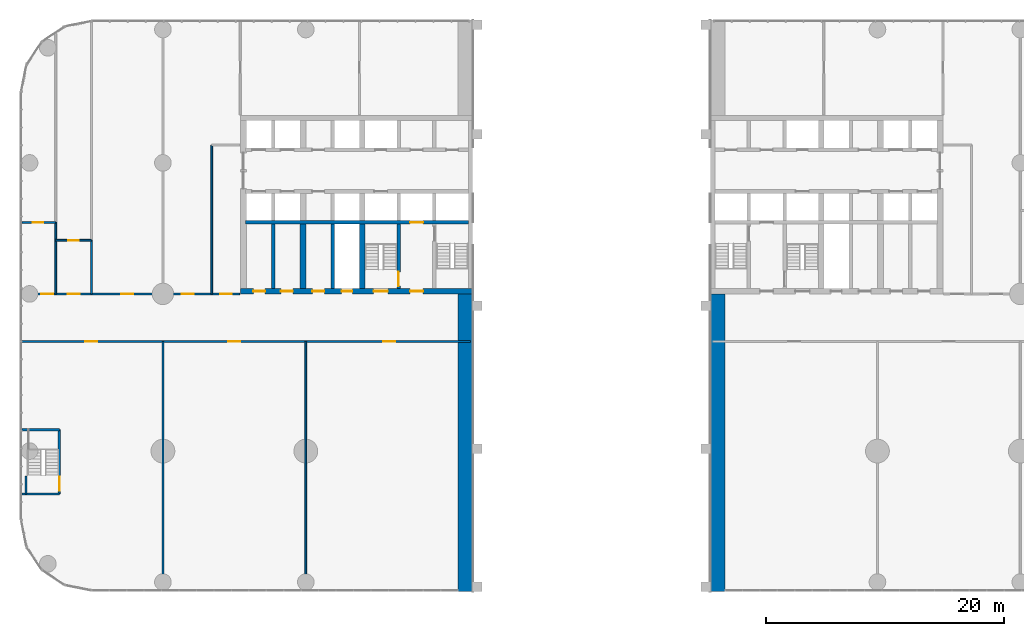
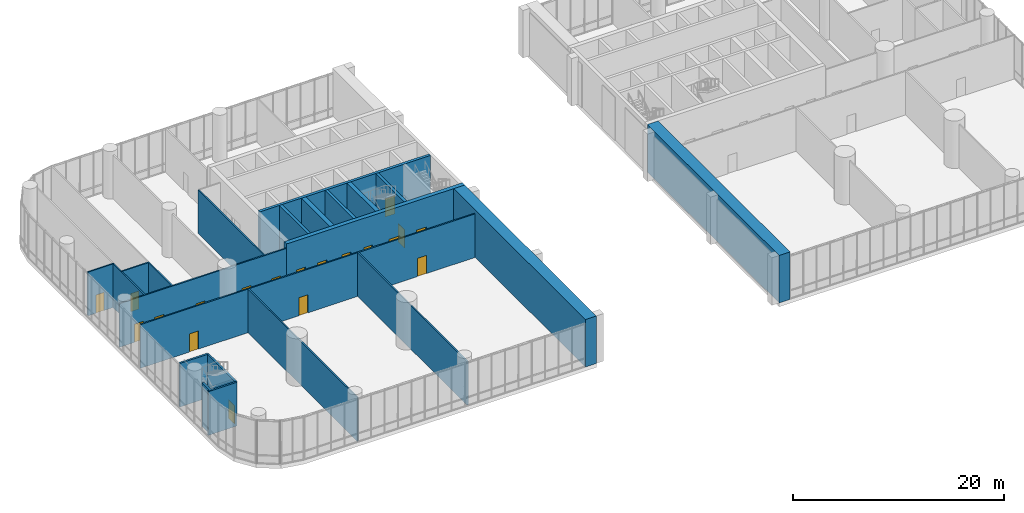
# One storey, part 22 of 28: 22 walls, 19 doors, 19 openings.
"""IFC4 building model written with IfcOpenShell, lengths in metres."""

from ifc_helpers import new_model, si_unit, direction, frame, frame_2d, origin, place, context, subcontext, project, spatial, rectangle, extrude, material, layer, layer_set, type_object, element, fill, save


model = new_model("IFC4")

# Units and contexts
model_context = context("Model", 3, precision=1e-05, world=origin(), true_north=direction((0.0, 1.0)))
body_context = subcontext(model_context, "Body", "Model", "MODEL_VIEW")
ifc_project = project(units=[si_unit("LENGTHUNIT", "METRE"), si_unit("AREAUNIT", "SQUARE_METRE"), si_unit("VOLUMEUNIT", "CUBIC_METRE"), si_unit("PLANEANGLEUNIT", "RADIAN"), si_unit("MASSUNIT", "GRAM", prefix="KILO")], contexts=[model_context])

# Site, building, storey
site_placement = place(None, origin())
site = spatial("IfcSite", under=ifc_project, at=site_placement, CompositionType="ELEMENT")
building_placement = place(site_placement, origin())
building = spatial("IfcBuilding", under=site, at=building_placement, Name="Torana Hotel and Residences", CompositionType="ELEMENT")
storey_placement = place(building_placement, frame((0.0, 0.0, 7.0)))
storey = spatial("IfcBuildingStorey", under=building, at=storey_placement, Name="L01", CompositionType="ELEMENT", Elevation=7.0)

# Walls
ifc_material_1 = material(Name="Concrete C70/85", Category="concrete")
ifc_layer_1 = layer(ifc_material_1, 1.199951171875)
ifc_layer_set_1 = layer_set([ifc_layer_1], Name="CORE WALL 1200 C70/85")
wall_type_1 = type_object("IfcWallType", Name="CORE WALL 1200 C70/85", PredefinedType="SHEAR", material=ifc_layer_set_1)
for number, where, z_axis, x_axis, name in (
    (1, (-10.60009765625, -40.0, 0.0), (0.0, 0.0, 1.0), (0.0, 1.0, 0.0), "Arch jamb wall W"),
    (2, (10.60009765625, -40.0, 0.0), (0.0, 0.0, 1.0), (0.0, 1.0, 0.0), "Arch jamb wall E"),
):
    element("IfcWall", number, at=place(storey_placement, frame(where, z_axis=z_axis, x_axis=x_axis)), inside=storey, type_object=wall_type_1, Name=name, PredefinedType="SHEAR", context=body_context, shape_type="SweptSolid", body=[
        extrude(rectangle(XDim=25.0, YDim=1.199951171875, at=frame_2d((12.5, 0.0))), origin(), (0.0, 0.0, 1.0), 5.5),
    ])
ifc_material_2 = material(Name="Concrete C40/50", Category="concrete")
ifc_layer_2 = layer(ifc_material_2, 0.199951171875)
ifc_layer_set_2 = layer_set([ifc_layer_2], Name="CORE WALL 200 C40/50")
wall_type_2 = type_object("IfcWallType", Name="CORE WALL 200 C40/50", PredefinedType="SHEAR", material=ifc_layer_set_2)
wall_1_placement = place(storey_placement, frame((-47.5, -31.800048828125, 0.0), z_axis=(0.0, 0.0, 1.0), x_axis=(0.0, 1.0, 0.0)))
element("IfcWall", 3, at=wall_1_placement, inside=storey, type_object=wall_type_2, Name="Stair cell wall ST5", PredefinedType="SHEAR", context=body_context, shape_type="SweptSolid", body=[
    extrude(rectangle(XDim=1.5, YDim=0.199951171875, at=frame_2d((0.75, 0.0))), origin(), (0.0, 0.0, 1.0), 5.050048828125),
])

# Wall, opening, door
ifc_material_3 = material(Name="Concrete C80/95", Category="concrete")
ifc_layer_3 = layer(ifc_material_3, 0.300048828125)
ifc_layer_set_3 = layer_set([ifc_layer_3], Name="CORE WALL 300 C80/95")
wall_type_3 = type_object("IfcWallType", Name="CORE WALL 300 C80/95", PredefinedType="SHEAR", material=ifc_layer_set_3)
wall_2_placement = place(storey_placement, frame((-29.050048828125, -9.0, 0.0), z_axis=(0.0, 0.0, 1.0), x_axis=(1.0, 0.0, 0.0)))
wall_2 = element("IfcWall", 4, at=wall_2_placement, inside=storey, type_object=wall_type_3, Name="Core wall W band", PredefinedType="SHEAR", context=body_context, shape_type="SweptSolid", body=[
    extrude(rectangle(XDim=18.699951171875, YDim=0.300048828125, at=frame_2d((9.35009765625, 0.0))), origin(), (0.0, 0.0, 1.0), 5.5),
])
opening_1_placement = place(wall_2_placement, frame((13.800048828125, 0.0, 0.0)))
opening_1 = element("IfcOpeningElement", 5, at=opening_1_placement, cuts=wall_2, Name="Opening LD", PredefinedType="OPENING", context=body_context, shape_type="SweptSolid", body=[
    extrude(rectangle(XDim=1.10009765625, YDim=2.10009765625, at=frame_2d((0.550048828125, 1.050048828125))), frame((0.0, 0.159912109375, 0.0), z_axis=(0.0, -1.0, 0.0), x_axis=(1.0, 0.0, 0.0)), (0.0, 0.0, 1.0), 0.320068359375),
])
ifc_material_4 = material(Name="Stainless steel 316", Category="steel")
door_type_1 = type_object("IfcDoorType", Name="LIFT LANDING DOOR LD 1100x2100", OperationType="DOUBLE_DOOR_SLIDING", PredefinedType="USERDEFINED", material=ifc_material_4)
door_1_placement = place(opening_1_placement, origin())
door_1 = element("IfcDoor", 6, at=door_1_placement, inside=storey, type_object=door_type_1, Name="Lift landing door FF1 L01", ObjectType="LIFT LANDING DOOR", OperationType="DOUBLE_DOOR_SLIDING", OverallHeight=2.10009765625, OverallWidth=1.10009765625, PredefinedType="USERDEFINED", context=body_context, shape_type="SweptSolid", body=[
    extrude(rectangle(XDim=1.10009765625, YDim=2.10009765625, at=frame_2d((0.550048828125, 1.050048828125))), frame((0.0, 0.02490234375, 0.0), z_axis=(0.0, -1.0, 0.0), x_axis=(1.0, 0.0, 0.0)), (0.0, 0.0, 1.0), 0.050048828125),
])
fill(opening_1, door_1)

wall_3_placement = place(storey_placement, frame((-16.199951171875, -14.550048828125, 0.0), z_axis=(0.0, 0.0, 1.0), x_axis=(0.0, 1.0, 0.0)))
wall_3 = element("IfcWall", 7, at=wall_3_placement, inside=storey, type_object=wall_type_3, Name="Core wall W x6.05-band", PredefinedType="SHEAR", context=body_context, shape_type="SweptSolid", body=[
    extrude(rectangle(XDim=5.400146484375, YDim=0.300048828125, at=frame_2d((2.7001953125, 0.0))), origin(), (0.0, 0.0, 1.0), 5.5),
])
opening_2_placement = place(wall_3_placement, frame((0.199951171875, 0.0, 0.0)))
opening_2 = element("IfcOpeningElement", 8, at=opening_2_placement, cuts=wall_3, Name="Opening L01-15", PredefinedType="OPENING", context=body_context, shape_type="SweptSolid", body=[
    extrude(rectangle(XDim=1.199951171875, YDim=2.10009765625, at=frame_2d((0.60009765625, 1.050048828125))), frame((0.0, 0.159912109375, 0.0), z_axis=(0.0, -1.0, 0.0), x_axis=(1.0, 0.0, 0.0)), (0.0, 0.0, 1.0), 0.320068359375),
])
ifc_material_5 = material(Name="Steel S235", Category="steel")
door_type_2 = type_object("IfcDoorType", Name="STAIR FIRE DOOR D3 1200x2100", OperationType="SINGLE_SWING_LEFT", PredefinedType="DOOR", material=ifc_material_5)
door_2_placement = place(opening_2_placement, origin())
door_2 = element("IfcDoor", 9, at=door_2_placement, inside=storey, type_object=door_type_2, Name="Stair-B-lobby door L01", OperationType="SINGLE_SWING_RIGHT", OverallHeight=2.10009765625, OverallWidth=1.199951171875, PredefinedType="DOOR", context=body_context, shape_type="SweptSolid", body=[
    extrude(rectangle(XDim=1.199951171875, YDim=2.10009765625, at=frame_2d((0.60009765625, 1.050048828125))), frame((0.0, 0.02490234375, 0.0), z_axis=(0.0, -1.0, 0.0), x_axis=(1.0, 0.0, 0.0)), (0.0, 0.0, 1.0), 0.050048828125),
])
fill(opening_2, door_2)

# Walls
for number, where, z_axis, x_axis, name in (
    (10, (-21.75, -14.550048828125, 0.0), (0.0, 0.0, 1.0), (0.0, 1.0, 0.0), "Core wall W mm-band"),
    (11, (-26.75, -14.550048828125, 0.0), (0.0, 0.0, 1.0), (0.0, 1.0, 0.0), "Core wall W ll-band"),
):
    element("IfcWall", number, at=place(storey_placement, frame(where, z_axis=z_axis, x_axis=x_axis)), inside=storey, type_object=wall_type_3, Name=name, PredefinedType="SHEAR", context=body_context, shape_type="SweptSolid", body=[
        extrude(rectangle(XDim=5.400146484375, YDim=0.300048828125, at=frame_2d((2.7001953125, 0.0))), origin(), (0.0, 0.0, 1.0), 5.5),
    ])

# Wall, openings, doors
ifc_material_6 = material(Name="Concrete C80/95", Category="concrete")
ifc_layer_4 = layer(ifc_material_6, 0.449951171875)
ifc_layer_set_4 = layer_set([ifc_layer_4], Name="CORE WALL 450 C80/95")
wall_type_4 = type_object("IfcWallType", Name="CORE WALL 450 C80/95", PredefinedType="SHEAR", material=ifc_layer_set_4)
wall_4_placement = place(storey_placement, frame((-29.5, -14.77490234375, 0.0), z_axis=(0.0, 0.0, 1.0), x_axis=(1.0, 0.0, 0.0)))
wall_4 = element("IfcWall", 12, at=wall_4_placement, inside=storey, type_object=wall_type_4, Name="Core wall W front", PredefinedType="SHEAR", context=body_context, shape_type="SweptSolid", body=[
    extrude(rectangle(XDim=19.5, YDim=0.449951171875, at=frame_2d((9.75, 0.0))), origin(), (0.0, 0.0, 1.0), 5.5),
])
opening_3_placement = place(wall_4_placement, frame((11.199951171875, 0.0, 0.0)))
opening_3 = element("IfcOpeningElement", 13, at=opening_3_placement, cuts=wall_4, Name="Opening L01-03", PredefinedType="OPENING", context=body_context, shape_type="SweptSolid", body=[
    extrude(rectangle(XDim=1.199951171875, YDim=2.10009765625, at=frame_2d((0.60009765625, 1.050048828125))), frame((0.0, 0.23486328125, 0.0), z_axis=(0.0, -1.0, 0.0), x_axis=(1.0, 0.0, 0.0)), (0.0, 0.0, 1.0), 0.469970703125),
])
opening_4_placement = place(wall_4_placement, frame((14.25, 0.0, 0.0)))
opening_4 = element("IfcOpeningElement", 14, at=opening_4_placement, cuts=wall_4, Name="Opening L01-04", PredefinedType="OPENING", context=body_context, shape_type="SweptSolid", body=[
    extrude(rectangle(XDim=1.10009765625, YDim=2.10009765625, at=frame_2d((0.550048828125, 1.050048828125))), frame((0.0, 0.23486328125, 0.0), z_axis=(0.0, -1.0, 0.0), x_axis=(1.0, 0.0, 0.0)), (0.0, 0.0, 1.0), 0.469970703125),
])
opening_5_placement = place(wall_4_placement, frame((8.5, 0.0, 0.0)))
opening_5 = element("IfcOpeningElement", 15, at=opening_5_placement, cuts=wall_4, Name="Opening L01-05", PredefinedType="OPENING", context=body_context, shape_type="SweptSolid", body=[
    extrude(rectangle(XDim=0.89990234375, YDim=2.10009765625, at=frame_2d((0.449951171875, 1.050048828125))), frame((0.0, 0.23486328125, 0.0), z_axis=(0.0, -1.0, 0.0), x_axis=(1.0, 0.0, 0.0)), (0.0, 0.0, 1.0), 0.469970703125),
])
opening_6_placement = place(wall_4_placement, frame((6.050048828125, 0.0, 0.0)))
opening_6 = element("IfcOpeningElement", 16, at=opening_6_placement, cuts=wall_4, Name="Opening L01-06", PredefinedType="OPENING", context=body_context, shape_type="SweptSolid", body=[
    extrude(rectangle(XDim=1.0, YDim=2.10009765625, at=frame_2d((0.5, 1.050048828125))), frame((0.0, 0.23486328125, 0.0), z_axis=(0.0, -1.0, 0.0), x_axis=(1.0, 0.0, 0.0)), (0.0, 0.0, 1.0), 0.469970703125),
])
opening_7_placement = place(wall_4_placement, frame((3.41259765625, 0.0, 0.0)))
opening_7 = element("IfcOpeningElement", 17, at=opening_7_placement, cuts=wall_4, Name="Opening L01-07", PredefinedType="OPENING", context=body_context, shape_type="SweptSolid", body=[
    extrude(rectangle(XDim=1.0, YDim=2.10009765625, at=frame_2d((0.5, 1.050048828125))), frame((0.0, 0.23486328125, 0.0), z_axis=(0.0, -1.0, 0.0), x_axis=(1.0, 0.0, 0.0)), (0.0, 0.0, 1.0), 0.469970703125),
])
opening_8_placement = place(wall_4_placement, frame((1.08740234375, 0.0, 0.0)))
opening_8 = element("IfcOpeningElement", 18, at=opening_8_placement, cuts=wall_4, Name="Opening L01-08", PredefinedType="OPENING", context=body_context, shape_type="SweptSolid", body=[
    extrude(rectangle(XDim=1.0, YDim=2.10009765625, at=frame_2d((0.5, 1.050048828125))), frame((0.0, 0.23486328125, 0.0), z_axis=(0.0, -1.0, 0.0), x_axis=(1.0, 0.0, 0.0)), (0.0, 0.0, 1.0), 0.469970703125),
])
ifc_material_7 = material(Name="Steel S235", Category="steel")
door_type_3 = type_object("IfcDoorType", Name="CORE ROOM FIRE DOOR D14 1000x2100", OperationType="SINGLE_SWING_LEFT", PredefinedType="DOOR", material=ifc_material_7)
door_3_placement = place(opening_6_placement, origin())
door_3 = element("IfcDoor", 19, at=door_3_placement, inside=storey, type_object=door_type_3, Name="M-Room door L01", OperationType="SINGLE_SWING_RIGHT", OverallHeight=2.10009765625, OverallWidth=1.0, PredefinedType="DOOR", context=body_context, shape_type="SweptSolid", body=[
    extrude(rectangle(XDim=1.0, YDim=2.10009765625, at=frame_2d((0.5, 1.050048828125))), frame((0.0, 0.02490234375, 0.0), z_axis=(0.0, -1.0, 0.0), x_axis=(1.0, 0.0, 0.0)), (0.0, 0.0, 1.0), 0.050048828125),
])
fill(opening_6, door_3)
door_4_placement = place(opening_7_placement, origin())
door_4 = element("IfcDoor", 20, at=door_4_placement, inside=storey, type_object=door_type_3, Name="L-A door L01", OperationType="SINGLE_SWING_RIGHT", OverallHeight=2.10009765625, OverallWidth=1.0, PredefinedType="DOOR", context=body_context, shape_type="SweptSolid", body=[
    extrude(rectangle(XDim=1.0, YDim=2.10009765625, at=frame_2d((0.5, 1.050048828125))), frame((0.0, 0.02490234375, 0.0), z_axis=(0.0, -1.0, 0.0), x_axis=(1.0, 0.0, 0.0)), (0.0, 0.0, 1.0), 0.050048828125),
])
fill(opening_7, door_4)
door_5_placement = place(opening_8_placement, origin())
door_5 = element("IfcDoor", 21, at=door_5_placement, inside=storey, type_object=door_type_3, Name="L-B door L01", OperationType="SINGLE_SWING_RIGHT", OverallHeight=2.10009765625, OverallWidth=1.0, PredefinedType="DOOR", context=body_context, shape_type="SweptSolid", body=[
    extrude(rectangle(XDim=1.0, YDim=2.10009765625, at=frame_2d((0.5, 1.050048828125))), frame((0.0, 0.02490234375, 0.0), z_axis=(0.0, -1.0, 0.0), x_axis=(1.0, 0.0, 0.0)), (0.0, 0.0, 1.0), 0.050048828125),
])
fill(opening_8, door_5)
ifc_material_8 = material(Name="Steel S235", Category="steel")
door_type_4 = type_object("IfcDoorType", Name="FIRE-FIGHTING LOBBY DOOR D8 1100x2100", OperationType="SINGLE_SWING_LEFT", PredefinedType="DOOR", material=ifc_material_8)
door_6_placement = place(opening_4_placement, origin())
door_6 = element("IfcDoor", 22, at=door_6_placement, inside=storey, type_object=door_type_4, Name="FF-lobby door L01", OperationType="SINGLE_SWING_RIGHT", OverallHeight=2.10009765625, OverallWidth=1.10009765625, PredefinedType="DOOR", context=body_context, shape_type="SweptSolid", body=[
    extrude(rectangle(XDim=1.10009765625, YDim=2.10009765625, at=frame_2d((0.550048828125, 1.050048828125))), frame((0.0, 0.02490234375, 0.0), z_axis=(0.0, -1.0, 0.0), x_axis=(1.0, 0.0, 0.0)), (0.0, 0.0, 1.0), 0.050048828125),
])
fill(opening_4, door_6)
ifc_material_9 = material(Name="Steel S235", Category="steel")
door_type_5 = type_object("IfcDoorType", Name="RISER ACCESS DOOR D5 900x2100", OperationType="SINGLE_SWING_LEFT", PredefinedType="DOOR", material=ifc_material_9)
door_7_placement = place(opening_5_placement, origin())
door_7 = element("IfcDoor", 23, at=door_7_placement, inside=storey, type_object=door_type_5, Name="M-Riser door L01", OperationType="SINGLE_SWING_RIGHT", OverallHeight=2.10009765625, OverallWidth=0.89990234375, PredefinedType="DOOR", context=body_context, shape_type="SweptSolid", body=[
    extrude(rectangle(XDim=0.89990234375, YDim=2.10009765625, at=frame_2d((0.449951171875, 1.050048828125))), frame((0.0, 0.02490234375, 0.0), z_axis=(0.0, -1.0, 0.0), x_axis=(1.0, 0.0, 0.0)), (0.0, 0.0, 1.0), 0.050048828125),
])
fill(opening_5, door_7)
door_8_placement = place(opening_3_placement, origin())
door_8 = element("IfcDoor", 24, at=door_8_placement, inside=storey, type_object=door_type_2, Name="Stair-B door L01", OperationType="SINGLE_SWING_RIGHT", OverallHeight=2.10009765625, OverallWidth=1.199951171875, PredefinedType="DOOR", context=body_context, shape_type="SweptSolid", body=[
    extrude(rectangle(XDim=1.199951171875, YDim=2.10009765625, at=frame_2d((0.60009765625, 1.050048828125))), frame((0.0, 0.02490234375, 0.0), z_axis=(0.0, -1.0, 0.0), x_axis=(1.0, 0.0, 0.0)), (0.0, 0.0, 1.0), 0.050048828125),
])
fill(opening_3, door_8)

# Walls
wall_5_placement = place(storey_placement, frame((-19.27490234375, -14.550048828125, 0.0), z_axis=(0.0, 0.0, 1.0), x_axis=(0.0, 1.0, 0.0)))
element("IfcWall", 25, at=wall_5_placement, inside=storey, type_object=wall_type_4, Name="Core wall W hm-band", PredefinedType="SHEAR", context=body_context, shape_type="SweptSolid", body=[
    extrude(rectangle(XDim=5.400146484375, YDim=0.449951171875, at=frame_2d((2.7001953125, 0.0))), origin(), (0.0, 0.0, 1.0), 5.5),
])
ifc_material_10 = material(Name="Concrete C80/95", Category="concrete")
ifc_layer_5 = layer(ifc_material_10, 0.5)
ifc_layer_set_5 = layer_set([ifc_layer_5], Name="CORE WALL 500 C80/95")
wall_type_5 = type_object("IfcWallType", Name="CORE WALL 500 C80/95", PredefinedType="SHEAR", material=ifc_layer_set_5)
wall_6_placement = place(storey_placement, frame((-24.25, -14.550048828125, 0.0), z_axis=(0.0, 0.0, 1.0), x_axis=(0.0, 1.0, 0.0)))
element("IfcWall", 26, at=wall_6_placement, inside=storey, type_object=wall_type_5, Name="Core wall W ml-band", PredefinedType="SHEAR", context=body_context, shape_type="SweptSolid", body=[
    extrude(rectangle(XDim=5.400146484375, YDim=0.5, at=frame_2d((2.7001953125, 0.0))), origin(), (0.0, 0.0, 1.0), 5.5),
])
ifc_material_11 = material(Name="Gypsum plaster")
ifc_layer_6 = layer(ifc_material_11, 0.014892578125, Name="Plaster", Category="finish")
ifc_material_12 = material(Name="Concrete blockwork", Category="masonry")
ifc_layer_7 = layer(ifc_material_12, 0.1201171875, Name="Blockwork", Category="structure")
ifc_layer_8 = layer(ifc_material_11, 0.014892578125, Name="Plaster", Category="finish")
ifc_layer_set_6 = layer_set([ifc_layer_6, ifc_layer_7, ifc_layer_8], Name="FIRE PARTITION 150 BLOCKWORK")
wall_type_6 = type_object("IfcWallType", Name="FIRE PARTITION 150 BLOCKWORK", PredefinedType="PARTITIONING", material=ifc_layer_set_6)
wall_7_placement = place(storey_placement, frame((-31.89990234375, -15.0, 0.0), z_axis=(0.0, 0.0, 1.0), x_axis=(0.0, 1.0, 0.0)))
element("IfcWall", 27, at=wall_7_placement, inside=storey, type_object=wall_type_6, Name="Partition L01", PredefinedType="PARTITIONING", context=body_context, shape_type="SweptSolid", body=[
    extrude(rectangle(XDim=12.5, YDim=0.14990234375, at=frame_2d((6.25, 0.0))), origin(), (0.0, 0.0, 1.0), 5.050048828125),
])

# Wall, openings, doors
wall_8_placement = place(storey_placement, frame((-47.820068359375, -19.0, 0.0), z_axis=(0.0, 0.0, 1.0), x_axis=(1.0, 0.0, 0.0)))
wall_8 = element("IfcWall", 28, at=wall_8_placement, inside=storey, type_object=wall_type_6, Name="Partition L01", PredefinedType="PARTITIONING", context=body_context, shape_type="SweptSolid", body=[
    extrude(rectangle(XDim=37.64013671875, YDim=0.14990234375, at=frame_2d((18.820068359375, 0.0))), origin(), (0.0, 0.0, 1.0), 5.050048828125),
])
opening_9_placement = place(wall_8_placement, frame((5.320068359375, 0.0, 0.0)))
opening_9 = element("IfcOpeningElement", 29, at=opening_9_placement, cuts=wall_8, Name="Opening L01-44", PredefinedType="OPENING", context=body_context, shape_type="SweptSolid", body=[
    extrude(rectangle(XDim=1.0, YDim=2.10009765625, at=frame_2d((0.5, 1.050048828125))), frame((0.0, 0.0849609375, 0.0), z_axis=(0.0, -1.0, 0.0), x_axis=(1.0, 0.0, 0.0)), (0.0, 0.0, 1.0), 0.169921875),
])
opening_10_placement = place(wall_8_placement, frame((17.320068359375, 0.0, 0.0)))
opening_10 = element("IfcOpeningElement", 30, at=opening_10_placement, cuts=wall_8, Name="Opening L01-45", PredefinedType="OPENING", context=body_context, shape_type="SweptSolid", body=[
    extrude(rectangle(XDim=1.0, YDim=2.10009765625, at=frame_2d((0.5, 1.050048828125))), frame((0.0, 0.0849609375, 0.0), z_axis=(0.0, -1.0, 0.0), x_axis=(1.0, 0.0, 0.0)), (0.0, 0.0, 1.0), 0.169921875),
])
opening_11_placement = place(wall_8_placement, frame((30.320068359375, 0.0, 0.0)))
opening_11 = element("IfcOpeningElement", 31, at=opening_11_placement, cuts=wall_8, Name="Opening L01-46", PredefinedType="OPENING", context=body_context, shape_type="SweptSolid", body=[
    extrude(rectangle(XDim=1.0, YDim=2.10009765625, at=frame_2d((0.5, 1.050048828125))), frame((0.0, 0.0849609375, 0.0), z_axis=(0.0, -1.0, 0.0), x_axis=(1.0, 0.0, 0.0)), (0.0, 0.0, 1.0), 0.169921875),
])
ifc_material_13 = material(Name="Steel S235", Category="steel")
door_type_6 = type_object("IfcDoorType", Name="ENTRY FIRE DOOR D6 1000x2100", OperationType="SINGLE_SWING_LEFT", PredefinedType="DOOR", material=ifc_material_13)
door_9_placement = place(opening_9_placement, frame((0.5, 0.0, 0.0), z_axis=(0.0, 0.0, 1.0), x_axis=(-1.0, 0.0, 0.0)))
door_9 = element("IfcDoor", 32, at=door_9_placement, inside=storey, type_object=door_type_6, Name="Door L01", OperationType="SINGLE_SWING_LEFT", OverallHeight=2.10009765625, OverallWidth=1.0, PredefinedType="DOOR", context=body_context, shape_type="SweptSolid", body=[
    extrude(rectangle(XDim=1.0, YDim=2.10009765625, at=frame_2d((0.0, 1.050048828125))), frame((0.0, -0.02490234375, 0.0), z_axis=(0.0, 1.0, 0.0), x_axis=(-1.0, 0.0, 0.0)), (0.0, 0.0, 1.0), 0.050048828125),
])
fill(opening_9, door_9)
door_10_placement = place(opening_10_placement, frame((0.5, 0.0, 0.0), z_axis=(0.0, 0.0, 1.0), x_axis=(-1.0, 0.0, 0.0)))
door_10 = element("IfcDoor", 33, at=door_10_placement, inside=storey, type_object=door_type_6, Name="Door L01", OperationType="SINGLE_SWING_LEFT", OverallHeight=2.10009765625, OverallWidth=1.0, PredefinedType="DOOR", context=body_context, shape_type="SweptSolid", body=[
    extrude(rectangle(XDim=1.0, YDim=2.10009765625, at=frame_2d((0.0, 1.050048828125))), frame((0.0, -0.02490234375, 0.0), z_axis=(0.0, 1.0, 0.0), x_axis=(-1.0, 0.0, 0.0)), (0.0, 0.0, 1.0), 0.050048828125),
])
fill(opening_10, door_10)
door_11_placement = place(opening_11_placement, frame((0.5, 0.0, 0.0), z_axis=(0.0, 0.0, 1.0), x_axis=(-1.0, 0.0, 0.0)))
door_11 = element("IfcDoor", 34, at=door_11_placement, inside=storey, type_object=door_type_6, Name="Door L01", OperationType="SINGLE_SWING_LEFT", OverallHeight=2.10009765625, OverallWidth=1.0, PredefinedType="DOOR", context=body_context, shape_type="SweptSolid", body=[
    extrude(rectangle(XDim=1.0, YDim=2.10009765625, at=frame_2d((0.0, 1.050048828125))), frame((0.0, -0.02490234375, 0.0), z_axis=(0.0, 1.0, 0.0), x_axis=(-1.0, 0.0, 0.0)), (0.0, 0.0, 1.0), 0.050048828125),
])
fill(opening_11, door_11)

wall_9_placement = place(storey_placement, frame((-47.820068359375, -15.0, 0.0), z_axis=(0.0, 0.0, 1.0), x_axis=(1.0, 0.0, 0.0)))
wall_9 = element("IfcWall", 35, at=wall_9_placement, inside=storey, type_object=wall_type_6, Name="Partition L01", PredefinedType="PARTITIONING", context=body_context, shape_type="SweptSolid", body=[
    extrude(rectangle(XDim=18.27001953125, YDim=0.14990234375, at=frame_2d((9.135009765625, 0.0))), origin(), (0.0, 0.0, 1.0), 5.050048828125),
])
opening_12_placement = place(wall_9_placement, frame((1.6201171875, 0.0, 0.0)))
opening_12 = element("IfcOpeningElement", 36, at=opening_12_placement, cuts=wall_9, Name="Opening L01-47", PredefinedType="OPENING", context=body_context, shape_type="SweptSolid", body=[
    extrude(rectangle(XDim=1.0, YDim=2.10009765625, at=frame_2d((0.5, 1.050048828125))), frame((0.0, 0.0849609375, 0.0), z_axis=(0.0, -1.0, 0.0), x_axis=(1.0, 0.0, 0.0)), (0.0, 0.0, 1.0), 0.169921875),
])
opening_13_placement = place(wall_9_placement, frame((3.840087890625, 0.0, 0.0)))
opening_13 = element("IfcOpeningElement", 37, at=opening_13_placement, cuts=wall_9, Name="Opening L01-48", PredefinedType="OPENING", context=body_context, shape_type="SweptSolid", body=[
    extrude(rectangle(XDim=1.0, YDim=2.10009765625, at=frame_2d((0.5, 1.050048828125))), frame((0.0, 0.0849609375, 0.0), z_axis=(0.0, -1.0, 0.0), x_axis=(1.0, 0.0, 0.0)), (0.0, 0.0, 1.0), 0.169921875),
])
opening_14_placement = place(wall_9_placement, frame((8.340087890625, 0.0, 0.0)))
opening_14 = element("IfcOpeningElement", 38, at=opening_14_placement, cuts=wall_9, Name="Opening L01-49", PredefinedType="OPENING", context=body_context, shape_type="SweptSolid", body=[
    extrude(rectangle(XDim=1.0, YDim=2.10009765625, at=frame_2d((0.5, 1.050048828125))), frame((0.0, 0.0849609375, 0.0), z_axis=(0.0, -1.0, 0.0), x_axis=(1.0, 0.0, 0.0)), (0.0, 0.0, 1.0), 0.169921875),
])
opening_15_placement = place(wall_9_placement, frame((13.389892578125, 0.0, 0.0)))
opening_15 = element("IfcOpeningElement", 39, at=opening_15_placement, cuts=wall_9, Name="Opening L01-50", PredefinedType="OPENING", context=body_context, shape_type="SweptSolid", body=[
    extrude(rectangle(XDim=1.0, YDim=2.10009765625, at=frame_2d((0.5, 1.050048828125))), frame((0.0, 0.0849609375, 0.0), z_axis=(0.0, -1.0, 0.0), x_axis=(1.0, 0.0, 0.0)), (0.0, 0.0, 1.0), 0.169921875),
])
opening_16_placement = place(wall_9_placement, frame((16.6201171875, 0.0, 0.0)))
opening_16 = element("IfcOpeningElement", 40, at=opening_16_placement, cuts=wall_9, Name="Opening L01-51", PredefinedType="OPENING", context=body_context, shape_type="SweptSolid", body=[
    extrude(rectangle(XDim=1.0, YDim=2.10009765625, at=frame_2d((0.5, 1.050048828125))), frame((0.0, 0.0849609375, 0.0), z_axis=(0.0, -1.0, 0.0), x_axis=(1.0, 0.0, 0.0)), (0.0, 0.0, 1.0), 0.169921875),
])
door_12_placement = place(opening_12_placement, origin())
door_12 = element("IfcDoor", 41, at=door_12_placement, inside=storey, type_object=door_type_3, Name="Door L01", OperationType="SINGLE_SWING_LEFT", OverallHeight=2.10009765625, OverallWidth=1.0, PredefinedType="DOOR", context=body_context, shape_type="SweptSolid", body=[
    extrude(rectangle(XDim=1.0, YDim=2.10009765625, at=frame_2d((0.5, 1.050048828125))), frame((0.0, 0.02490234375, 0.0), z_axis=(0.0, -1.0, 0.0), x_axis=(1.0, 0.0, 0.0)), (0.0, 0.0, 1.0), 0.050048828125),
])
fill(opening_12, door_12)
door_13_placement = place(opening_13_placement, origin())
door_13 = element("IfcDoor", 42, at=door_13_placement, inside=storey, type_object=door_type_3, Name="Door L01", OperationType="SINGLE_SWING_RIGHT", OverallHeight=2.10009765625, OverallWidth=1.0, PredefinedType="DOOR", context=body_context, shape_type="SweptSolid", body=[
    extrude(rectangle(XDim=1.0, YDim=2.10009765625, at=frame_2d((0.5, 1.050048828125))), frame((0.0, 0.02490234375, 0.0), z_axis=(0.0, -1.0, 0.0), x_axis=(1.0, 0.0, 0.0)), (0.0, 0.0, 1.0), 0.050048828125),
])
fill(opening_13, door_13)
door_14_placement = place(opening_14_placement, origin())
door_14 = element("IfcDoor", 43, at=door_14_placement, inside=storey, type_object=door_type_3, Name="Door L01", OperationType="SINGLE_SWING_RIGHT", OverallHeight=2.10009765625, OverallWidth=1.0, PredefinedType="DOOR", context=body_context, shape_type="SweptSolid", body=[
    extrude(rectangle(XDim=1.0, YDim=2.10009765625, at=frame_2d((0.5, 1.050048828125))), frame((0.0, 0.02490234375, 0.0), z_axis=(0.0, -1.0, 0.0), x_axis=(1.0, 0.0, 0.0)), (0.0, 0.0, 1.0), 0.050048828125),
])
fill(opening_14, door_14)
door_15_placement = place(opening_15_placement, origin())
door_15 = element("IfcDoor", 44, at=door_15_placement, inside=storey, type_object=door_type_3, Name="Door L01", OperationType="SINGLE_SWING_RIGHT", OverallHeight=2.10009765625, OverallWidth=1.0, PredefinedType="DOOR", context=body_context, shape_type="SweptSolid", body=[
    extrude(rectangle(XDim=1.0, YDim=2.10009765625, at=frame_2d((0.5, 1.050048828125))), frame((0.0, 0.02490234375, 0.0), z_axis=(0.0, -1.0, 0.0), x_axis=(1.0, 0.0, 0.0)), (0.0, 0.0, 1.0), 0.050048828125),
])
fill(opening_15, door_15)
door_16_placement = place(opening_16_placement, origin())
door_16 = element("IfcDoor", 45, at=door_16_placement, inside=storey, type_object=door_type_6, Name="Door L01", OperationType="SINGLE_SWING_RIGHT", OverallHeight=2.10009765625, OverallWidth=1.0, PredefinedType="DOOR", context=body_context, shape_type="SweptSolid", body=[
    extrude(rectangle(XDim=1.0, YDim=2.10009765625, at=frame_2d((0.5, 1.050048828125))), frame((0.0, 0.02490234375, 0.0), z_axis=(0.0, -1.0, 0.0), x_axis=(1.0, 0.0, 0.0)), (0.0, 0.0, 1.0), 0.050048828125),
])
fill(opening_16, door_16)

# Walls
ifc_material_14 = material(Name="Gypsum plasterboard")
ifc_layer_9 = layer(ifc_material_14, 0.012451171875, Name="Plasterboard", Category="finish")
ifc_layer_10 = layer(ifc_material_14, 0.012451171875, Name="Plasterboard", Category="finish")
ifc_material_15 = material(Name="Steel S280GD", Category="steel")
ifc_layer_11 = layer(ifc_material_15, 0.10009765625, Name="Steel studs with mineral wool", Category="insulation")
ifc_layer_12 = layer(ifc_material_14, 0.012451171875, Name="Plasterboard", Category="finish")
ifc_layer_13 = layer(ifc_material_14, 0.012451171875, Name="Plasterboard", Category="finish")
ifc_layer_set_7 = layer_set([ifc_layer_9, ifc_layer_10, ifc_layer_11, ifc_layer_12, ifc_layer_13], Name="PARTITION 150 PLASTERBOARD")
wall_type_7 = type_object("IfcWallType", Name="PARTITION 150 PLASTERBOARD", PredefinedType="PARTITIONING", material=ifc_layer_set_7)
for number, where, z_axis, x_axis, name in (
    (46, (-24.0, -39.820068359375, 0.0), (0.0, 0.0, 1.0), (0.0, 1.0, 0.0), "Partition L01"),
    (47, (-36.0, -39.820068359375, 0.0), (0.0, 0.0, 1.0), (0.0, 1.0, 0.0), "Partition L01"),
):
    element("IfcWall", number, at=place(storey_placement, frame(where, z_axis=z_axis, x_axis=x_axis)), inside=storey, type_object=wall_type_7, Name=name, PredefinedType="PARTITIONING", context=body_context, shape_type="SweptSolid", body=[
        extrude(rectangle(XDim=20.820068359375, YDim=0.14990234375, at=frame_2d((10.41015625, 0.0))), origin(), (0.0, 0.0, 1.0), 5.050048828125),
    ])

# Wall, opening, door
ifc_material_16 = material(Name="Concrete C40/50", Category="concrete")
ifc_layer_14 = layer(ifc_material_16, 0.199951171875)
ifc_layer_set_8 = layer_set([ifc_layer_14], Name="STAIR ENCLOSURE WALL 200 C40/50 120 min")
wall_type_8 = type_object("IfcWallType", Name="STAIR ENCLOSURE WALL 200 C40/50 120 min", PredefinedType="SHEAR", material=ifc_layer_set_8)
wall_10_placement = place(storey_placement, frame((-44.699951171875, -31.800048828125, 0.0), z_axis=(0.0, 0.0, 1.0), x_axis=(0.0, 1.0, 0.0)))
wall_10 = element("IfcWall", 48, at=wall_10_placement, inside=storey, type_object=wall_type_8, Name="Partition L01", PredefinedType="SHEAR", context=body_context, shape_type="SweptSolid", body=[
    extrude(rectangle(XDim=5.400146484375, YDim=0.199951171875, at=frame_2d((2.7001953125, 0.0))), origin(), (0.0, 0.0, 1.0), 5.050048828125),
])
opening_17_placement = place(wall_10_placement, frame((0.25, 0.0, 0.0)))
opening_17 = element("IfcOpeningElement", 49, at=opening_17_placement, cuts=wall_10, Name="Opening L01-52", PredefinedType="OPENING", context=body_context, shape_type="SweptSolid", body=[
    extrude(rectangle(XDim=1.199951171875, YDim=2.10009765625, at=frame_2d((0.60009765625, 1.050048828125))), frame((0.0, 0.10986328125, 0.0), z_axis=(0.0, -1.0, 0.0), x_axis=(1.0, 0.0, 0.0)), (0.0, 0.0, 1.0), 0.219970703125),
])
door_17_placement = place(opening_17_placement, origin())
door_17 = element("IfcDoor", 50, at=door_17_placement, inside=storey, type_object=door_type_2, Name="Door L01", OperationType="SINGLE_SWING_RIGHT", OverallHeight=2.10009765625, OverallWidth=1.199951171875, PredefinedType="DOOR", context=body_context, shape_type="SweptSolid", body=[
    extrude(rectangle(XDim=1.199951171875, YDim=2.10009765625, at=frame_2d((0.60009765625, 1.050048828125))), frame((0.0, 0.02490234375, 0.0), z_axis=(0.0, -1.0, 0.0), x_axis=(1.0, 0.0, 0.0)), (0.0, 0.0, 1.0), 0.050048828125),
])
fill(opening_17, door_17)

# Walls
for number, where, z_axis, x_axis, name in (
    (51, (-47.820068359375, -31.800048828125, 0.0), (0.0, 0.0, 1.0), (1.0, 0.0, 0.0), "Partition L01"),
    (52, (-47.820068359375, -26.39990234375, 0.0), (0.0, 0.0, 1.0), (1.0, 0.0, 0.0), "Partition L01"),
):
    element("IfcWall", number, at=place(storey_placement, frame(where, z_axis=z_axis, x_axis=x_axis)), inside=storey, type_object=wall_type_8, Name=name, PredefinedType="SHEAR", context=body_context, shape_type="SweptSolid", body=[
        extrude(rectangle(XDim=3.1201171875, YDim=0.199951171875, at=frame_2d((1.56005859375, 0.0))), origin(), (0.0, 0.0, 1.0), 5.050048828125),
    ])
ifc_material_17 = material(Name="Ceramic tile on adhesive")
ifc_layer_15 = layer(ifc_material_17, 0.010009765625, Name="Wall tile", Category="finish")
ifc_material_18 = material(Name="Cement render")
ifc_layer_16 = layer(ifc_material_18, 0.010009765625, Name="Render", Category="finish")
ifc_layer_17 = layer(ifc_material_12, 0.110107421875, Name="Blockwork", Category="structure")
ifc_layer_18 = layer(ifc_material_18, 0.010009765625, Name="Render", Category="finish")
ifc_layer_19 = layer(ifc_material_17, 0.010009765625, Name="Wall tile", Category="finish")
ifc_layer_set_9 = layer_set([ifc_layer_15, ifc_layer_16, ifc_layer_17, ifc_layer_18, ifc_layer_19], Name="WC PARTITION 150")
wall_type_9 = type_object("IfcWallType", Name="WC PARTITION 150", PredefinedType="PLUMBINGWALL", material=ifc_layer_set_9)
wall_11_placement = place(storey_placement, frame((-42.0, -15.0, 0.0), z_axis=(0.0, 0.0, 1.0), x_axis=(0.0, 1.0, 0.0)))
element("IfcWall", 53, at=wall_11_placement, inside=storey, type_object=wall_type_9, Name="Partition L01", PredefinedType="PLUMBINGWALL", context=body_context, shape_type="SweptSolid", body=[
    extrude(rectangle(XDim=4.5, YDim=0.14990234375, at=frame_2d((2.25, 0.0))), origin(), (0.0, 0.0, 1.0), 5.050048828125),
])
wall_12_placement = place(storey_placement, frame((-45.0, -15.0, 0.0), z_axis=(0.0, 0.0, 1.0), x_axis=(0.0, 1.0, 0.0)))
element("IfcWall", 54, at=wall_12_placement, inside=storey, type_object=wall_type_9, Name="Partition L01", PredefinedType="PLUMBINGWALL", context=body_context, shape_type="SweptSolid", body=[
    extrude(rectangle(XDim=6.0, YDim=0.14990234375, at=frame_2d((3.0, 0.0))), origin(), (0.0, 0.0, 1.0), 5.050048828125),
])

# Wall, opening, door
wall_13_placement = place(storey_placement, frame((-45.0, -10.5, 0.0), z_axis=(0.0, 0.0, 1.0), x_axis=(1.0, 0.0, 0.0)))
wall_13 = element("IfcWall", 55, at=wall_13_placement, inside=storey, type_object=wall_type_9, Name="Partition L01", PredefinedType="PLUMBINGWALL", context=body_context, shape_type="SweptSolid", body=[
    extrude(rectangle(XDim=3.0, YDim=0.14990234375, at=frame_2d((1.5, 0.0))), origin(), (0.0, 0.0, 1.0), 5.050048828125),
])
opening_18_placement = place(wall_13_placement, frame((1.050048828125, 0.0, 0.0)))
opening_18 = element("IfcOpeningElement", 56, at=opening_18_placement, cuts=wall_13, Name="Opening L01-54", PredefinedType="OPENING", context=body_context, shape_type="SweptSolid", body=[
    extrude(rectangle(XDim=0.89990234375, YDim=2.10009765625, at=frame_2d((0.449951171875, 1.050048828125))), frame((0.0, 0.0849609375, 0.0), z_axis=(0.0, -1.0, 0.0), x_axis=(1.0, 0.0, 0.0)), (0.0, 0.0, 1.0), 0.169921875),
])
ifc_material_19 = material(Name="Timber door, oiled ash", Category="wood")
door_type_7 = type_object("IfcDoorType", Name="ROOM DOOR D7 900x2100", OperationType="SINGLE_SWING_LEFT", PredefinedType="DOOR", material=ifc_material_19)
door_18_placement = place(opening_18_placement, origin())
door_18 = element("IfcDoor", 57, at=door_18_placement, inside=storey, type_object=door_type_7, Name="Door L01", OperationType="SINGLE_SWING_RIGHT", OverallHeight=2.10009765625, OverallWidth=0.89990234375, PredefinedType="DOOR", context=body_context, shape_type="SweptSolid", body=[
    extrude(rectangle(XDim=0.89990234375, YDim=2.10009765625, at=frame_2d((0.449951171875, 1.050048828125))), frame((0.0, 0.02490234375, 0.0), z_axis=(0.0, -1.0, 0.0), x_axis=(1.0, 0.0, 0.0)), (0.0, 0.0, 1.0), 0.050048828125),
])
fill(opening_18, door_18)

wall_14_placement = place(storey_placement, frame((-47.820068359375, -9.0, 0.0), z_axis=(0.0, 0.0, 1.0), x_axis=(1.0, 0.0, 0.0)))
wall_14 = element("IfcWall", 58, at=wall_14_placement, inside=storey, type_object=wall_type_9, Name="Partition L01", PredefinedType="PLUMBINGWALL", context=body_context, shape_type="SweptSolid", body=[
    extrude(rectangle(XDim=2.820068359375, YDim=0.14990234375, at=frame_2d((1.41015625, 0.0))), origin(), (0.0, 0.0, 1.0), 5.050048828125),
])
opening_19_placement = place(wall_14_placement, frame((0.8701171875, 0.0, 0.0)))
opening_19 = element("IfcOpeningElement", 59, at=opening_19_placement, cuts=wall_14, Name="Opening L01-53", PredefinedType="OPENING", context=body_context, shape_type="SweptSolid", body=[
    extrude(rectangle(XDim=0.89990234375, YDim=2.10009765625, at=frame_2d((0.449951171875, 1.050048828125))), frame((0.0, 0.0849609375, 0.0), z_axis=(0.0, -1.0, 0.0), x_axis=(1.0, 0.0, 0.0)), (0.0, 0.0, 1.0), 0.169921875),
])
door_19_placement = place(opening_19_placement, origin())
door_19 = element("IfcDoor", 60, at=door_19_placement, inside=storey, type_object=door_type_7, Name="Door L01", OperationType="SINGLE_SWING_RIGHT", OverallHeight=2.10009765625, OverallWidth=0.89990234375, PredefinedType="DOOR", context=body_context, shape_type="SweptSolid", body=[
    extrude(rectangle(XDim=0.89990234375, YDim=2.10009765625, at=frame_2d((0.449951171875, 1.050048828125))), frame((0.0, 0.02490234375, 0.0), z_axis=(0.0, -1.0, 0.0), x_axis=(1.0, 0.0, 0.0)), (0.0, 0.0, 1.0), 0.050048828125),
])
fill(opening_19, door_19)

save(model, "model.ifc")
